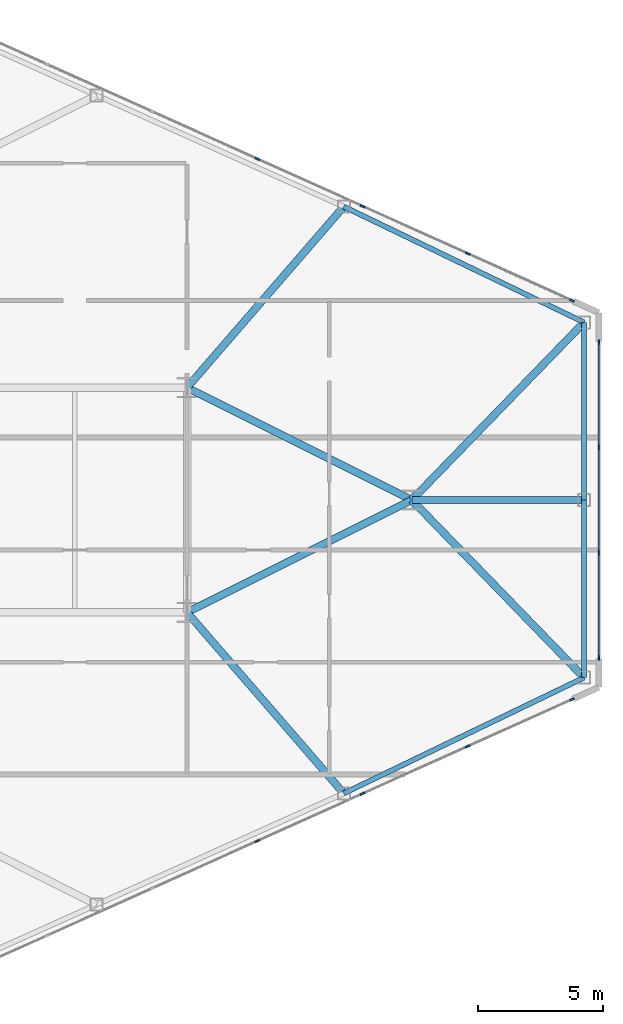
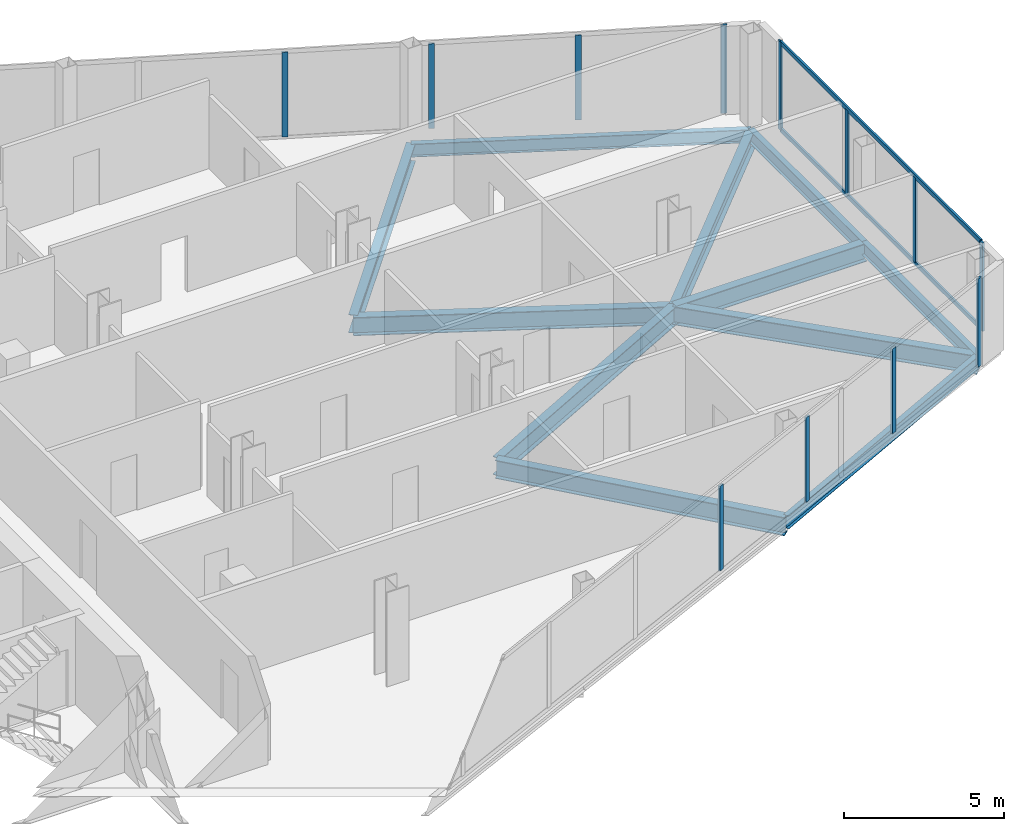
# One storey, part 16 of 27: 14 members, 11 beams, 3 elements without a shape of their own.
"""IFC4 building model written with IfcOpenShell, lengths in metres."""

from ifc_helpers import new_model, si_unit, direction, frame, origin, origin_2d, place, context, subcontext, project, spatial, rectangle, i_section, extrude, source, transform, mapped, material, layer, layer_set, material_profile, profile_set, type_object, type_shapes, element, aggregate, save


model = new_model("IFC4")

# Units and contexts
model_context = context("Model", 3, precision=1e-05, world=origin(), true_north=direction((0.0, 1.0)))
body_context = subcontext(model_context, "Body", "Model", "MODEL_VIEW")
ifc_project = project(units=[si_unit("LENGTHUNIT", "METRE"), si_unit("AREAUNIT", "SQUARE_METRE"), si_unit("VOLUMEUNIT", "CUBIC_METRE"), si_unit("PLANEANGLEUNIT", "RADIAN"), si_unit("MASSUNIT", "GRAM", prefix="KILO")], contexts=[model_context])

# Site, building, storey
site_placement = place(None, origin())
site = spatial("IfcSite", under=ifc_project, at=site_placement, CompositionType="ELEMENT")
building_placement = place(site_placement, origin())
building = spatial("IfcBuilding", under=site, at=building_placement, Name="Seokmaru Belvedere", CompositionType="ELEMENT")
storey_placement = place(building_placement, frame((0.0, 0.0, 106.800048828125)))
storey = spatial("IfcBuildingStorey", under=building, at=storey_placement, Name="L28", CompositionType="ELEMENT", Elevation=106.800048828125)

# Beams
ifc_material_1 = material(Name="Steel SM355 (355 MPa)", Category="steel")
ifc_material_profile_1 = material_profile(ifc_material_1, i_section(OverallWidth=0.300048828125, OverallDepth=0.699951171875, WebThickness=0.012939453125, FlangeThickness=0.02392578125, at=origin_2d()), Name="H-700x300x13x24")
ifc_profile_set_1 = profile_set([ifc_material_profile_1], Name="Steel SM355 (355 MPa)")
beam_type_1 = type_object("IfcBeamType", Name="Primary Floor Girder H-700", PredefinedType="BEAM", material=ifc_profile_set_1)
shared_shape_1 = source(origin(), body_context, "Body", "SweptSolid", [
    extrude(i_section(OverallWidth=0.300048828125, OverallDepth=0.699951171875, WebThickness=0.012939453125, FlangeThickness=0.02392578125, at=origin_2d()), origin(), (0.0, 0.0, 1.0), 10.062255859375),
])
for number, where, z_axis, x_axis, name in (
    (1, (54.5, -4.5, -0.570068359375), (0.894427191, 0.4472135955, 0.0), (-0.4472135955, 0.894427191, 0.0), "L28 E Apex Converging Girder 1"),
    (2, (54.5, 4.5, -0.570068359375), (0.894427191, -0.4472135955, 0.0), (0.4472135955, 0.894427191, 0.0), "L28 E Apex Converging Girder 2"),
):
    element("IfcBeam", number, at=place(storey_placement, frame(where, z_axis=z_axis, x_axis=x_axis)), inside=storey, type_object=beam_type_1, Name=name, PredefinedType="BEAM", context=body_context, shape_type="MappedRepresentation", body=[
        mapped(shared_shape_1, transform((0.0, 0.0, 0.0), scale=1.0)),
    ])
ifc_material_profile_2 = material_profile(ifc_material_1, i_section(OverallWidth=0.199951171875, OverallDepth=0.5, WebThickness=0.010009765625, FlangeThickness=0.01611328125, at=origin_2d()), Name="H-500x200x10x16")
ifc_profile_set_2 = profile_set([ifc_material_profile_2], Name="Steel SM355 (355 MPa)")
beam_type_2 = type_object("IfcBeamType", Name="Perimeter Spandrel Beam H-500", PredefinedType="SPANDREL", material=ifc_profile_set_2)
shared_shape_2 = source(origin(), body_context, "Body", "SweptSolid", [
    extrude(i_section(OverallWidth=0.199951171875, OverallDepth=0.5, WebThickness=0.010009765625, FlangeThickness=0.01611328125, at=origin_2d()), origin(), (0.0, 0.0, 1.0), 10.681396484375),
])
for number, where, z_axis, x_axis, name in (
    (3, (60.777587890625, -11.749267578125, -0.469970703125), (0.900846426616, 0.434137899352, 0.0), (-0.434137899352, 0.900846426616, 0.0), "L28 E Faceted Flank Spandrel S-4"),
    (4, (60.777587890625, 11.749267578125, -0.469970703125), (0.900846426616, -0.434137899352, 0.0), (0.434137899352, 0.900846426616, 0.0), "L28 E Faceted Flank Spandrel N-4"),
):
    element("IfcBeam", number, at=place(storey_placement, frame(where, z_axis=z_axis, x_axis=x_axis)), inside=storey, type_object=beam_type_2, Name=name, PredefinedType="SPANDREL", context=body_context, shape_type="MappedRepresentation", body=[
        mapped(shared_shape_2, transform((0.0, 0.0, 0.0), scale=1.0)),
    ])
shared_shape_3 = source(origin(), body_context, "Body", "SweptSolid", [
    extrude(i_section(OverallWidth=0.199951171875, OverallDepth=0.5, WebThickness=0.010009765625, FlangeThickness=0.01611328125, at=origin_2d()), origin(), (0.0, 0.0, 1.0), 7.112060546875),
])
type_shapes(beam_type_2, [shared_shape_2, shared_shape_3])
for number, where, z_axis, x_axis, name in (
    (5, (70.39990234375, -7.112060546875, -0.469970703125), (0.0, 1.0, 0.0), (-1.0, 0.0, 0.0), "L28 E Faceted Apex Spandrel S"),
    (6, (70.39990234375, 0.0, -0.469970703125), (0.0, 1.0, 0.0), (-1.0, 0.0, 0.0), "L28 E Faceted Apex Spandrel N"),
):
    element("IfcBeam", number, at=place(storey_placement, frame(where, z_axis=z_axis, x_axis=x_axis)), inside=storey, type_object=beam_type_2, Name=name, PredefinedType="SPANDREL", context=body_context, shape_type="MappedRepresentation", body=[
        mapped(shared_shape_3, transform((0.0, 0.0, 0.0), scale=1.0)),
    ])
shared_shape_4 = source(origin(), body_context, "Body", "SweptSolid", [
    extrude(i_section(OverallWidth=0.300048828125, OverallDepth=0.699951171875, WebThickness=0.012939453125, FlangeThickness=0.02392578125, at=origin_2d()), origin(), (0.0, 0.0, 1.0), 9.589599609375),
])
for number, where, z_axis, x_axis, name in (
    (7, (60.777587890625, -11.749267578125, -0.570068359375), (-0.654626140929, 0.755952786629, 0.0), (-0.755952786629, -0.654626140929, 0.0), "L28 E Flank Radial Floor Girder S-3"),
    (8, (60.777587890625, 11.749267578125, -0.570068359375), (-0.654626140929, -0.755952786629, 0.0), (0.755952786629, -0.654626140929, 0.0), "L28 E Flank Radial Floor Girder N-3"),
):
    element("IfcBeam", number, at=place(storey_placement, frame(where, z_axis=z_axis, x_axis=x_axis)), inside=storey, type_object=beam_type_1, Name=name, PredefinedType="BEAM", context=body_context, shape_type="MappedRepresentation", body=[
        mapped(shared_shape_4, transform((0.0, 0.0, 0.0), scale=1.0)),
    ])
shared_shape_5 = source(origin(), body_context, "Body", "SweptSolid", [
    extrude(i_section(OverallWidth=0.300048828125, OverallDepth=0.699951171875, WebThickness=0.012939453125, FlangeThickness=0.02392578125, at=origin_2d()), origin(), (0.0, 0.0, 1.0), 9.9091796875),
])
for number, where, z_axis, x_axis, name in (
    (9, (70.39990234375, -7.112060546875, -0.570068359375), (-0.6963205089, 0.717730972499, 0.0), (-0.717730972499, -0.6963205089, 0.0), "L28 E Apex Radial Floor Girder 1"),
    (10, (70.39990234375, 7.112060546875, -0.570068359375), (-0.6963205089, -0.717730972499, 0.0), (0.717730972499, -0.6963205089, 0.0), "L28 E Apex Radial Floor Girder 2"),
):
    element("IfcBeam", number, at=place(storey_placement, frame(where, z_axis=z_axis, x_axis=x_axis)), inside=storey, type_object=beam_type_1, Name=name, PredefinedType="BEAM", context=body_context, shape_type="MappedRepresentation", body=[
        mapped(shared_shape_5, transform((0.0, 0.0, 0.0), scale=1.0)),
    ])
shared_shape_6 = source(origin(), body_context, "Body", "SweptSolid", [
    extrude(i_section(OverallWidth=0.300048828125, OverallDepth=0.699951171875, WebThickness=0.012939453125, FlangeThickness=0.02392578125, at=origin_2d()), origin(), (0.0, 0.0, 1.0), 6.89990234375),
])
type_shapes(beam_type_1, [shared_shape_1, shared_shape_4, shared_shape_5, shared_shape_6])
beam_placement = place(storey_placement, frame((70.39990234375, 0.0, -0.570068359375), z_axis=(-1.0, 0.0, 0.0), x_axis=(0.0, -1.0, 0.0)))
element("IfcBeam", 11, at=beam_placement, inside=storey, type_object=beam_type_1, Name="L28 E Apex Center Radial Girder", PredefinedType="BEAM", context=body_context, shape_type="MappedRepresentation", body=[
    mapped(shared_shape_6, transform((0.0, 0.0, 0.0), scale=1.0)),
])

# Curtain wall, member
ifc_material_2 = material(Name="Bronze Triple Insulating Glass", Category="glass")
ifc_layer = layer(ifc_material_2, 0.195068359375)
ifc_layer_set = layer_set([ifc_layer], Name="Bronze Triple Insulating Glass")
curtain_wall_type = type_object("IfcCurtainWallType", Name="Lower-Mid Tapered Curtain Wall System CW-3", PredefinedType="NOTDEFINED", material=ifc_layer_set)
curtain_wall_1_placement = place(storey_placement, origin())
curtain_wall_1 = element("IfcCurtainWall", 12, at=curtain_wall_1_placement, inside=storey, type_object=curtain_wall_type, Name="L28 Curtain Wall EF1", PredefinedType="NOTDEFINED")
ifc_material_3 = material(Name="Anodised Bronze Aluminium", Category="aluminium")
ifc_material_profile_3 = material_profile(ifc_material_3, rectangle(XDim=0.070068359375, YDim=0.195068359375, at=origin_2d()), Name="CW-M-70x195")
ifc_profile_set_3 = profile_set([ifc_material_profile_3], Name="Anodised Bronze Aluminium")
member_type_1 = type_object("IfcMemberType", Name="Bronze Unitised Mullion 70x195", PredefinedType="MULLION", material=ifc_profile_set_3)
shared_shape_7 = source(origin(), body_context, "Body", "SweptSolid", [
    extrude(rectangle(XDim=0.070068359375, YDim=0.195068359375, at=origin_2d()), origin(), (0.0, 0.0, 1.0), 3.3798828125),
])
member_1_placement = place(storey_placement, frame((69.91943359375, -7.986328125, 0.0), z_axis=(0.0, 0.0, 1.0), x_axis=(-0.41036554765, 0.91192111353, 0.0)))
member_1 = element("IfcMember", 13, at=member_1_placement, type_object=member_type_1, Name="CW:L28:EF1 Mullion 10", PredefinedType="MULLION", context=body_context, shape_type="MappedRepresentation", body=[
    mapped(shared_shape_7, transform((0.0, 0.0, 0.0), scale=1.0)),
])

# Curtain wall, members
curtain_wall_2_placement = place(storey_placement, origin())
curtain_wall_2 = element("IfcCurtainWall", 14, at=curtain_wall_2_placement, inside=storey, type_object=curtain_wall_type, Name="L28 Curtain Wall EF2", PredefinedType="NOTDEFINED")
member_2_placement = place(storey_placement, frame((71.0, -6.31494140625, 0.0), z_axis=(0.0, 0.0, 1.0), x_axis=(-1.0, 0.0, 0.0)))
member_2 = element("IfcMember", 15, at=member_2_placement, type_object=member_type_1, Name="CW:L28:EF2 Mullion 1", PredefinedType="MULLION", context=body_context, shape_type="MappedRepresentation", body=[
    mapped(shared_shape_7, transform((0.0, 0.0, 0.0), scale=1.0)),
])
member_3_placement = place(storey_placement, frame((71.0, 6.31494140625, 0.0), z_axis=(0.0, 0.0, 1.0), x_axis=(-1.0, 0.0, 0.0)))
member_3 = element("IfcMember", 16, at=member_3_placement, type_object=member_type_1, Name="CW:L28:EF2 Mullion 4", PredefinedType="MULLION", context=body_context, shape_type="MappedRepresentation", body=[
    mapped(shared_shape_7, transform((0.0, 0.0, 0.0), scale=1.0)),
])

# Curtain wall, member
curtain_wall_3_placement = place(storey_placement, origin())
curtain_wall_3 = element("IfcCurtainWall", 17, at=curtain_wall_3_placement, inside=storey, type_object=curtain_wall_type, Name="L28 Curtain Wall EF3", PredefinedType="NOTDEFINED")
member_4_placement = place(storey_placement, frame((69.91943359375, 7.986328125, 0.0), z_axis=(0.0, 0.0, 1.0), x_axis=(-0.41036554765, -0.91192111353, 0.0)))
member_4 = element("IfcMember", 18, at=member_4_placement, type_object=member_type_1, Name="CW:L28:EF3 Mullion 1", PredefinedType="MULLION", context=body_context, shape_type="MappedRepresentation", body=[
    mapped(shared_shape_7, transform((0.0, 0.0, 0.0), scale=1.0)),
])

# Member
shared_shape_8 = source(origin(), body_context, "Body", "SweptSolid", [
    extrude(rectangle(XDim=0.070068359375, YDim=0.195068359375, at=origin_2d()), origin(), (0.0, 0.0, 1.0), 3.239990234375),
])
type_shapes(member_type_1, [shared_shape_7, shared_shape_8])
member_5_placement = place(storey_placement, frame((57.317138671875, -13.6572265625, 0.070068359375), z_axis=(0.0, 0.0, 1.0), x_axis=(-0.41036554765, 0.91192111353, 0.0)))
member_5 = element("IfcMember", 19, at=member_5_placement, type_object=member_type_1, Name="CW:L28:EF1 Mullion 7", PredefinedType="MULLION", context=body_context, shape_type="MappedRepresentation", body=[
    mapped(shared_shape_8, transform((0.0, 0.0, 0.0), scale=1.0)),
])

member_6_placement = place(storey_placement, frame((61.528564453125, -11.76220703125, 0.070068359375), z_axis=(0.0, 0.0, 1.0), x_axis=(-0.41036554765, 0.91192111353, 0.0)))
member_6 = element("IfcMember", 20, at=member_6_placement, type_object=member_type_1, Name="CW:L28:EF1 Mullion 8", PredefinedType="MULLION", context=body_context, shape_type="MappedRepresentation", body=[
    mapped(shared_shape_8, transform((0.0, 0.0, 0.0), scale=1.0)),
])

member_7_placement = place(storey_placement, frame((65.739990234375, -9.866943359375, 0.070068359375), z_axis=(0.0, 0.0, 1.0), x_axis=(-0.41036554765, 0.91192111353, 0.0)))
member_7 = element("IfcMember", 21, at=member_7_placement, type_object=member_type_1, Name="CW:L28:EF1 Mullion 9", PredefinedType="MULLION", context=body_context, shape_type="MappedRepresentation", body=[
    mapped(shared_shape_8, transform((0.0, 0.0, 0.0), scale=1.0)),
])

aggregate(curtain_wall_1, [member_5, member_6, member_7, member_1])

member_8_placement = place(storey_placement, frame((71.0, -2.11669921875, 0.070068359375), z_axis=(0.0, 0.0, 1.0), x_axis=(-1.0, 0.0, 0.0)))
member_8 = element("IfcMember", 22, at=member_8_placement, type_object=member_type_1, Name="CW:L28:EF2 Mullion 2", PredefinedType="MULLION", context=body_context, shape_type="MappedRepresentation", body=[
    mapped(shared_shape_8, transform((0.0, 0.0, 0.0), scale=1.0)),
])

member_9_placement = place(storey_placement, frame((71.0, 2.11669921875, 0.070068359375), z_axis=(0.0, 0.0, 1.0), x_axis=(-1.0, 0.0, 0.0)))
member_9 = element("IfcMember", 23, at=member_9_placement, type_object=member_type_1, Name="CW:L28:EF2 Mullion 3", PredefinedType="MULLION", context=body_context, shape_type="MappedRepresentation", body=[
    mapped(shared_shape_8, transform((0.0, 0.0, 0.0), scale=1.0)),
])

member_10_placement = place(storey_placement, frame((65.739990234375, 9.866943359375, 0.070068359375), z_axis=(0.0, 0.0, 1.0), x_axis=(-0.41036554765, -0.91192111353, 0.0)))
member_10 = element("IfcMember", 24, at=member_10_placement, type_object=member_type_1, Name="CW:L28:EF3 Mullion 2", PredefinedType="MULLION", context=body_context, shape_type="MappedRepresentation", body=[
    mapped(shared_shape_8, transform((0.0, 0.0, 0.0), scale=1.0)),
])

member_11_placement = place(storey_placement, frame((61.528564453125, 11.76220703125, 0.070068359375), z_axis=(0.0, 0.0, 1.0), x_axis=(-0.41036554765, -0.91192111353, 0.0)))
member_11 = element("IfcMember", 25, at=member_11_placement, type_object=member_type_1, Name="CW:L28:EF3 Mullion 3", PredefinedType="MULLION", context=body_context, shape_type="MappedRepresentation", body=[
    mapped(shared_shape_8, transform((0.0, 0.0, 0.0), scale=1.0)),
])

member_12_placement = place(storey_placement, frame((57.317138671875, 13.6572265625, 0.070068359375), z_axis=(0.0, 0.0, 1.0), x_axis=(-0.41036554765, -0.91192111353, 0.0)))
member_12 = element("IfcMember", 26, at=member_12_placement, type_object=member_type_1, Name="CW:L28:EF3 Mullion 4", PredefinedType="MULLION", context=body_context, shape_type="MappedRepresentation", body=[
    mapped(shared_shape_8, transform((0.0, 0.0, 0.0), scale=1.0)),
])

aggregate(curtain_wall_3, [member_4, member_10, member_11, member_12])

ifc_material_profile_4 = material_profile(ifc_material_3, rectangle(XDim=0.070068359375, YDim=0.1650390625, at=origin_2d()), Name="CW-T-70x165")
ifc_profile_set_4 = profile_set([ifc_material_profile_4], Name="Anodised Bronze Aluminium")
member_type_2 = type_object("IfcMemberType", Name="Bronze Unitised Transom 70x165", PredefinedType="USERDEFINED", material=ifc_profile_set_4)
shared_shape_9 = source(origin(), body_context, "Body", "SweptSolid", [
    extrude(rectangle(XDim=0.070068359375, YDim=0.1650390625, at=origin_2d()), origin(), (0.0, 0.0, 1.0), 12.56005859375),
])
type_shapes(member_type_2, [shared_shape_9])
member_13_placement = place(storey_placement, frame((71.0, -6.280029296875, 0.034912109375), z_axis=(0.0, 1.0, 0.0), x_axis=(-1.0, 0.0, 0.0)))
member_13 = element("IfcMember", 27, at=member_13_placement, type_object=member_type_2, Name="CW:L28:EF2 Continuous Transom 1", ObjectType="TRANSOM", PredefinedType="USERDEFINED", context=body_context, shape_type="MappedRepresentation", body=[
    mapped(shared_shape_9, transform((0.0, 0.0, 0.0), scale=1.0)),
])

member_14_placement = place(storey_placement, frame((71.0, -6.280029296875, 3.344970703125), z_axis=(0.0, 1.0, 0.0), x_axis=(-1.0, 0.0, 0.0)))
member_14 = element("IfcMember", 28, at=member_14_placement, type_object=member_type_2, Name="CW:L28:EF2 Continuous Transom 2", ObjectType="TRANSOM", PredefinedType="USERDEFINED", context=body_context, shape_type="MappedRepresentation", body=[
    mapped(shared_shape_9, transform((0.0, 0.0, 0.0), scale=1.0)),
])

aggregate(curtain_wall_2, [member_2, member_8, member_9, member_3, member_13, member_14])

save(model, "model.ifc")
